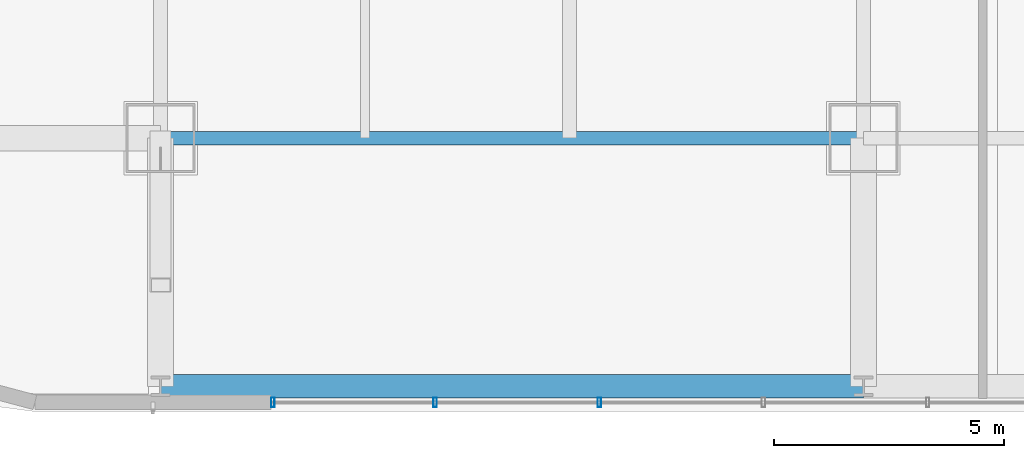
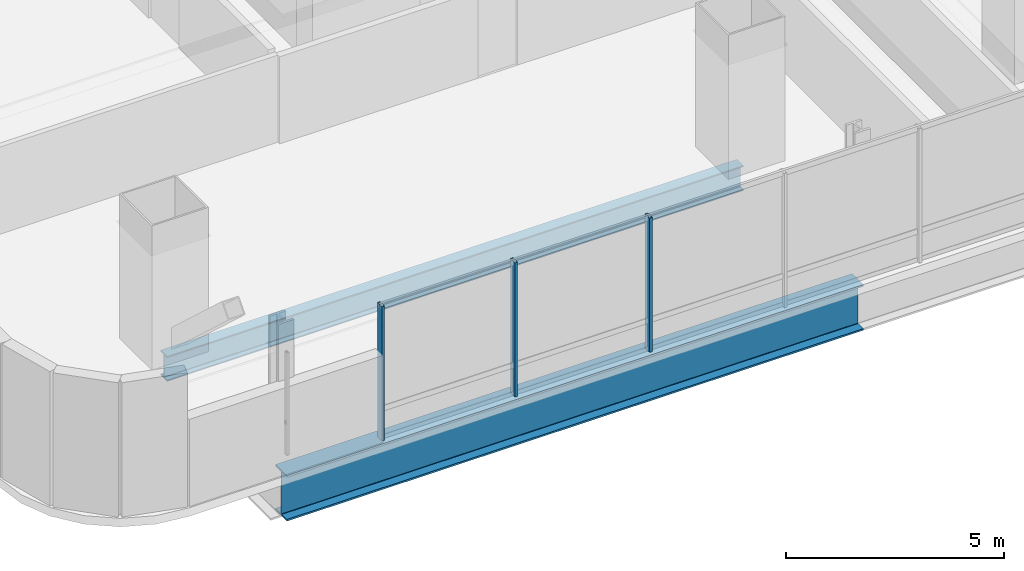
# One storey, part 2 of 45: 3 members, 2 beams, 1 element without a shape of its own.
"""IFC4 building model written with IfcOpenShell, lengths in metres."""

from ifc_helpers import new_model, si_unit, direction, frame, origin, origin_2d, place, context, subcontext, project, spatial, hollow_rectangle, i_section, extrude, material, material_profile, profile_set, type_object, element, aggregate, save


model = new_model("IFC4")

# Units and contexts
model_context = context("Model", 3, precision=1e-05, world=origin(), true_north=direction((0.0, 1.0)))
body_context = subcontext(model_context, "Body", "Model", "MODEL_VIEW")
ifc_project = project(units=[si_unit("LENGTHUNIT", "METRE"), si_unit("AREAUNIT", "SQUARE_METRE"), si_unit("VOLUMEUNIT", "CUBIC_METRE"), si_unit("PLANEANGLEUNIT", "RADIAN"), si_unit("MASSUNIT", "GRAM", prefix="KILO")], contexts=[model_context])

# Site, building, storey
site_placement = place(None, origin())
site = spatial("IfcSite", under=ifc_project, at=site_placement, CompositionType="ELEMENT")
building_placement = place(site_placement, origin())
building = spatial("IfcBuilding", under=site, at=building_placement, Name="Punatoya Terracotta Tower", CompositionType="ELEMENT")
storey_placement = place(building_placement, frame((0.0, 0.0, 56.550048828125)))
storey = spatial("IfcBuildingStorey", under=building, at=storey_placement, Name="L12", CompositionType="ELEMENT", Elevation=56.550048828125)

# Beams
ifc_material_1 = material(Name="Steel S355", Category="steel")
ifc_material_profile_1 = material_profile(ifc_material_1, i_section(OverallWidth=0.300048828125, OverallDepth=0.699951171875, WebThickness=0.01708984375, FlangeThickness=0.031982421875, FilletRadius=0.01806640625, at=origin_2d()))
ifc_profile_set_1 = profile_set([ifc_material_profile_1], Name="Steel S355")
beam_type_1 = type_object("IfcBeamType", Name="BM-PRI-700", PredefinedType="BEAM", material=ifc_profile_set_1)
beam_1_placement = place(storey_placement, frame((-19.10009765625, -17.5, -0.590087890625), z_axis=(1.0, 0.0, 0.0), x_axis=(0.0, 1.0, 0.0)))
element("IfcBeam", 1, at=beam_1_placement, inside=storey, type_object=beam_type_1, Name="BM-L12-RG-S1", PredefinedType="BEAM", context=body_context, shape_type="SweptSolid", body=[
    extrude(i_section(OverallWidth=0.300048828125, OverallDepth=0.699951171875, WebThickness=0.01708984375, FlangeThickness=0.031982421875, FilletRadius=0.01806640625, at=origin_2d()), origin(), (0.0, 0.0, 1.0), 15.300048828125),
])
ifc_material_2 = material(Name="Steel S460", Category="steel")
ifc_material_profile_2 = material_profile(ifc_material_2, i_section(OverallWidth=0.52001953125, OverallDepth=1.280029296875, WebThickness=0.031982421875, FlangeThickness=0.050048828125, FilletRadius=0.01806640625, at=origin_2d()))
ifc_profile_set_2 = profile_set([ifc_material_profile_2], Name="Steel S460")
beam_type_2 = type_object("IfcBeamType", Name="BM-TG-NCK", PredefinedType="BEAM", material=ifc_profile_set_2)
beam_2_placement = place(storey_placement, frame((-19.10009765625, -22.89990234375, -0.880126953125), z_axis=(1.0, 0.0, 0.0), x_axis=(0.0, 1.0, 0.0)))
element("IfcBeam", 2, at=beam_2_placement, inside=storey, type_object=beam_type_2, Name="BM-L12-PER-S1", PredefinedType="BEAM", context=body_context, shape_type="SweptSolid", body=[
    extrude(i_section(OverallWidth=0.52001953125, OverallDepth=1.280029296875, WebThickness=0.031982421875, FlangeThickness=0.050048828125, FilletRadius=0.01806640625, at=origin_2d()), origin(), (0.0, 0.0, 1.0), 15.300048828125),
])

# Curtain wall, members
ifc_material_3 = material(Name="Aluminium 6063-T6 + Double Low-E Glass", Category="aluminium")
curtain_wall_type = type_object("IfcCurtainWallType", Name="CW-M1", PredefinedType="NOTDEFINED", material=ifc_material_3)
curtain_wall_placement = place(storey_placement, origin())
curtain_wall = element("IfcCurtainWall", 3, at=curtain_wall_placement, inside=storey, type_object=curtain_wall_type, Name="L12 Curtain Wall CW-L12-S01-1", PredefinedType="NOTDEFINED")
ifc_material_4 = material(Name="Aluminium 6063-T6", Category="aluminium")
ifc_material_profile_3 = material_profile(ifc_material_4, hollow_rectangle(XDim=0.074951171875, YDim=0.2099609375, WallThickness=0.00439453125, at=origin_2d()))
ifc_profile_set_3 = profile_set([ifc_material_profile_3], Name="Aluminium 6063-T6")
member_type = type_object("IfcMemberType", Name="CW-MUL-M1", PredefinedType="MULLION", material=ifc_profile_set_3)
member_1_placement = place(storey_placement, frame((-16.655029296875, -23.25, 0.0), z_axis=(0.0, 0.0, 1.0), x_axis=(1.0, 0.0, 0.0)))
member_1 = element("IfcMember", 4, at=member_1_placement, type_object=member_type, Name="CW-L12-S01-1 Mullion 00", PredefinedType="MULLION", context=body_context, shape_type="SweptSolid", body=[
    extrude(hollow_rectangle(XDim=0.074951171875, YDim=0.2099609375, WallThickness=0.00439453125, at=origin_2d()), origin(), (0.0, 0.0, 1.0), 3.77001953125),
])
member_2_placement = place(storey_placement, frame((-13.125, -23.25, 0.0), z_axis=(0.0, 0.0, 1.0), x_axis=(1.0, 0.0, 0.0)))
member_2 = element("IfcMember", 5, at=member_2_placement, type_object=member_type, Name="CW-L12-S01-1 Mullion 01", PredefinedType="MULLION", context=body_context, shape_type="SweptSolid", body=[
    extrude(hollow_rectangle(XDim=0.074951171875, YDim=0.2099609375, WallThickness=0.00439453125, at=origin_2d()), origin(), (0.0, 0.0, 1.0), 3.77001953125),
])
member_3_placement = place(storey_placement, frame((-9.550048828125, -23.25, 0.0), z_axis=(0.0, 0.0, 1.0), x_axis=(1.0, 0.0, 0.0)))
member_3 = element("IfcMember", 6, at=member_3_placement, type_object=member_type, Name="CW-L12-S01-1 Mullion 02", PredefinedType="MULLION", context=body_context, shape_type="SweptSolid", body=[
    extrude(hollow_rectangle(XDim=0.074951171875, YDim=0.2099609375, WallThickness=0.00439453125, at=origin_2d()), origin(), (0.0, 0.0, 1.0), 3.77001953125),
])
aggregate(curtain_wall, [member_1, member_2, member_3])

save(model, "model.ifc")
